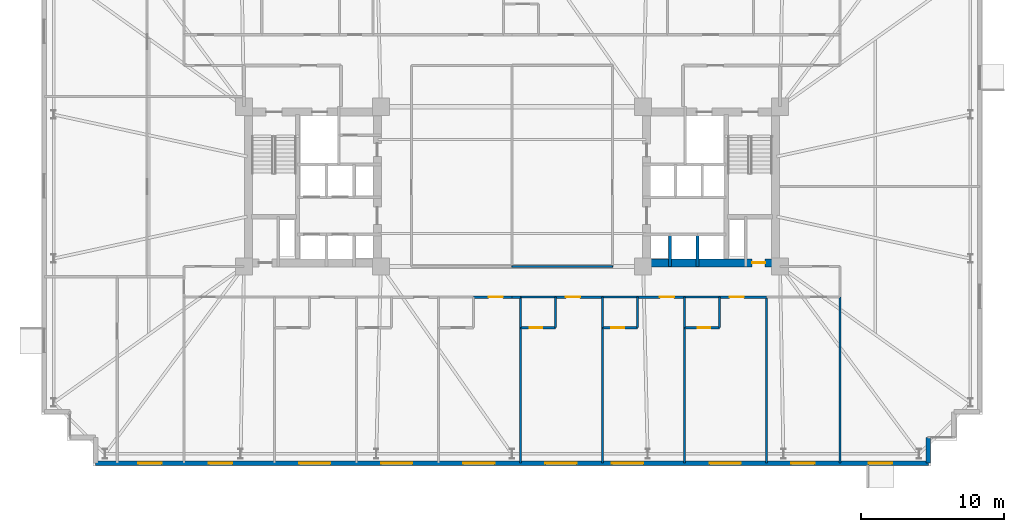
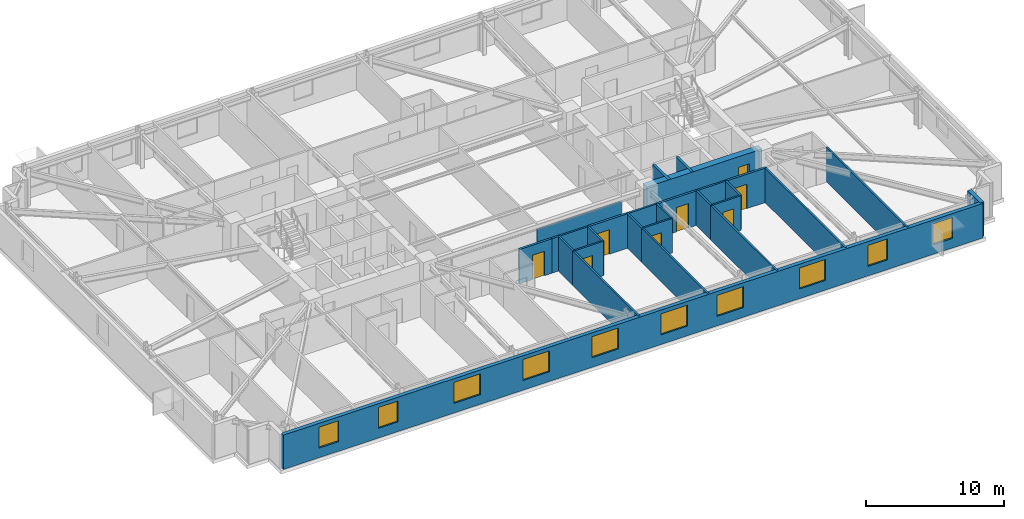
# One storey, part 16 of 20: 28 walls, 10 windows, 8 doors, 18 openings.
"""IFC4 building model written with IfcOpenShell, lengths in metres."""

from ifc_helpers import new_model, si_unit, direction, frame, frame_2d, origin, place, context, subcontext, project, spatial, rectangle, extrude, material, layer, layer_set, type_object, element, fill, save


model = new_model("IFC4")

# Units and contexts
model_context = context("Model", 3, precision=1e-05, world=origin(), true_north=direction((0.0, 1.0)))
body_context = subcontext(model_context, "Body", "Model", "MODEL_VIEW")
ifc_project = project(units=[si_unit("LENGTHUNIT", "METRE"), si_unit("AREAUNIT", "SQUARE_METRE"), si_unit("VOLUMEUNIT", "CUBIC_METRE"), si_unit("PLANEANGLEUNIT", "RADIAN"), si_unit("MASSUNIT", "GRAM", prefix="KILO")], contexts=[model_context])

# Site, building, storey
site_placement = place(None, origin())
site = spatial("IfcSite", under=ifc_project, at=site_placement, CompositionType="ELEMENT")
building_placement = place(site_placement, origin())
building = spatial("IfcBuilding", under=site, at=building_placement, Name="Qobustan Lattice House", CompositionType="ELEMENT")
storey_placement = place(building_placement, frame((0.0, 0.0, 63.85009765625)))
storey = spatial("IfcBuildingStorey", under=building, at=storey_placement, Name="L17", CompositionType="ELEMENT", Elevation=63.85009765625)

# Wall, opening, door
ifc_material_1 = material(Name="Concrete C60/75", Category="concrete")
ifc_layer_1 = layer(ifc_material_1, 0.56005859375)
ifc_layer_set_1 = layer_set([ifc_layer_1], Name="Concrete C60/75")
wall_type_1 = type_object("IfcWallType", Name="WAL-CORE-600", PredefinedType="SHEAR", material=ifc_layer_set_1)
wall_1_placement = place(storey_placement, frame((9.199951171875, -5.35009765625, 0.0), z_axis=(0.0, 0.0, 1.0), x_axis=(1.0, 0.0, 0.0)))
wall_1 = element("IfcWall", 1, at=wall_1_placement, inside=storey, type_object=wall_type_1, Name="L17 split-core shear wall CE-S", PredefinedType="SHEAR", context=body_context, shape_type="SweptSolid", body=[
    extrude(rectangle(XDim=9.60009765625, YDim=0.56005859375, at=frame_2d((4.800048828125, 0.0))), origin(), (0.0, 0.0, 1.0), 3.034912109375),
])
opening_1_placement = place(wall_1_placement, frame((7.64990234375, 0.0, 0.0)))
opening_1 = element("IfcOpeningElement", 2, at=opening_1_placement, cuts=wall_1, Name="Opening RD-01", PredefinedType="OPENING", context=body_context, shape_type="SweptSolid", body=[
    extrude(rectangle(XDim=0.89990234375, YDim=2.10009765625, at=frame_2d((0.449951171875, 1.050048828125))), frame((0.0, 0.2900390625, 0.0), z_axis=(0.0, -1.0, 0.0), x_axis=(1.0, 0.0, 0.0)), (0.0, 0.0, 1.0), 0.580078125),
])
ifc_material_2 = material(Name="Persian walnut timber and steel frame door", Category="steel")
door_type_1 = type_object("IfcDoorType", Name="DOR-RISER-FD-900x2100", OperationType="NOTDEFINED", PredefinedType="DOOR", material=ifc_material_2)
door_1_placement = place(opening_1_placement, origin())
door_1 = element("IfcDoor", 3, at=door_1_placement, inside=storey, type_object=door_type_1, Name="L17 core service riser access door E", OperationType="SINGLE_SWING_LEFT", OverallHeight=2.10009765625, OverallWidth=0.89990234375, PredefinedType="DOOR", context=body_context, shape_type="SweptSolid", body=[
    extrude(rectangle(XDim=0.89990234375, YDim=2.10009765625, at=frame_2d((0.449951171875, 1.050048828125))), frame((0.0, 0.02490234375, 0.0), z_axis=(0.0, -1.0, 0.0), x_axis=(1.0, 0.0, 0.0)), (0.0, 0.0, 1.0), 0.050048828125),
])
fill(opening_1, door_1)

# Wall
ifc_material_3 = material(Name="Precast concrete C40/50", Category="concrete")
ifc_layer_2 = layer(ifc_material_3, 0.320068359375)
ifc_layer_set_2 = layer_set([ifc_layer_2], Name="Precast concrete C40/50")
wall_type_2 = type_object("IfcWallType", Name="WAL-EXT-STONE-320", PredefinedType="SOLIDWALL", material=ifc_layer_set_2)
wall_2_placement = place(storey_placement, frame((29.199951171875, -17.60009765625, 0.0), z_axis=(0.0, 0.0, 1.0), x_axis=(0.0, -1.0, 0.0)))
element("IfcWall", 4, at=wall_2_placement, inside=storey, type_object=wall_type_2, Name="L17 exterior limestone-clad wall 19", PredefinedType="SOLIDWALL", context=body_context, shape_type="SweptSolid", body=[
    extrude(rectangle(XDim=1.7998046875, YDim=0.320068359375, at=frame_2d((0.89990234375, 0.0))), origin(), (0.0, 0.0, 1.0), 3.034912109375),
])

# Wall, openings, windows
wall_3_placement = place(storey_placement, frame((29.199951171875, -19.39990234375, 0.0), z_axis=(0.0, 0.0, 1.0), x_axis=(-1.0, 0.0, 0.0)))
wall_3 = element("IfcWall", 5, at=wall_3_placement, inside=storey, type_object=wall_type_2, Name="L17 exterior limestone-clad wall 20", PredefinedType="SOLIDWALL", context=body_context, shape_type="SweptSolid", body=[
    extrude(rectangle(XDim=58.39990234375, YDim=0.320068359375, at=frame_2d((29.199951171875, 0.0))), origin(), (0.0, 0.0, 1.0), 3.034912109375),
])
opening_2_placement = place(wall_3_placement, frame((2.534912109375, 0.0, 0.85009765625)))
opening_2 = element("IfcOpeningElement", 6, at=opening_2_placement, cuts=wall_3, Name="Opening WN-09", PredefinedType="OPENING", context=body_context, shape_type="SweptSolid", body=[
    extrude(rectangle(XDim=1.64990234375, YDim=1.85009765625, at=frame_2d((0.824951171875, 0.925048828125))), frame((0.0, 0.169921875, 0.0), z_axis=(0.0, -1.0, 0.0), x_axis=(1.0, 0.0, 0.0)), (0.0, 0.0, 1.0), 0.340087890625),
])
opening_3_placement = place(wall_3_placement, frame((7.97509765625, 0.0, 0.85009765625)))
opening_3 = element("IfcOpeningElement", 7, at=opening_3_placement, cuts=wall_3, Name="Opening WN-09", PredefinedType="OPENING", context=body_context, shape_type="SweptSolid", body=[
    extrude(rectangle(XDim=1.64990234375, YDim=1.85009765625, at=frame_2d((0.824951171875, 0.925048828125))), frame((0.0, 0.169921875, 0.0), z_axis=(0.0, -1.0, 0.0), x_axis=(1.0, 0.0, 0.0)), (0.0, 0.0, 1.0), 0.340087890625),
])
opening_4_placement = place(wall_3_placement, frame((13.139892578125, 0.0, 0.85009765625)))
opening_4 = element("IfcOpeningElement", 8, at=opening_4_placement, cuts=wall_3, Name="Opening WN-03", PredefinedType="OPENING", context=body_context, shape_type="SweptSolid", body=[
    extrude(rectangle(XDim=2.199951171875, YDim=1.85009765625, at=frame_2d((1.10009765625, 0.925048828125))), frame((0.0, 0.169921875, 0.0), z_axis=(0.0, -1.0, 0.0), x_axis=(1.0, 0.0, 0.0)), (0.0, 0.0, 1.0), 0.340087890625),
])
opening_5_placement = place(wall_3_placement, frame((19.991943359375, 0.0, 0.85009765625)))
opening_5 = element("IfcOpeningElement", 9, at=opening_5_placement, cuts=wall_3, Name="Opening WN-03", PredefinedType="OPENING", context=body_context, shape_type="SweptSolid", body=[
    extrude(rectangle(XDim=2.199951171875, YDim=1.85009765625, at=frame_2d((1.10009765625, 0.925048828125))), frame((0.0, 0.169921875, 0.0), z_axis=(0.0, -1.0, 0.0), x_axis=(1.0, 0.0, 0.0)), (0.0, 0.0, 1.0), 0.340087890625),
])
opening_6_placement = place(wall_3_placement, frame((24.659912109375, 0.0, 0.85009765625)))
opening_6 = element("IfcOpeningElement", 10, at=opening_6_placement, cuts=wall_3, Name="Opening WN-03", PredefinedType="OPENING", context=body_context, shape_type="SweptSolid", body=[
    extrude(rectangle(XDim=2.199951171875, YDim=1.85009765625, at=frame_2d((1.10009765625, 0.925048828125))), frame((0.0, 0.169921875, 0.0), z_axis=(0.0, -1.0, 0.0), x_axis=(1.0, 0.0, 0.0)), (0.0, 0.0, 1.0), 0.340087890625),
])
opening_7_placement = place(wall_3_placement, frame((30.419921875, 0.0, 0.85009765625)))
opening_7 = element("IfcOpeningElement", 11, at=opening_7_placement, cuts=wall_3, Name="Opening WN-03", PredefinedType="OPENING", context=body_context, shape_type="SweptSolid", body=[
    extrude(rectangle(XDim=2.199951171875, YDim=1.85009765625, at=frame_2d((1.10009765625, 0.925048828125))), frame((0.0, 0.169921875, 0.0), z_axis=(0.0, -1.0, 0.0), x_axis=(1.0, 0.0, 0.0)), (0.0, 0.0, 1.0), 0.340087890625),
])
opening_8_placement = place(wall_3_placement, frame((36.179931640625, 0.0, 0.85009765625)))
opening_8 = element("IfcOpeningElement", 12, at=opening_8_placement, cuts=wall_3, Name="Opening WN-03", PredefinedType="OPENING", context=body_context, shape_type="SweptSolid", body=[
    extrude(rectangle(XDim=2.199951171875, YDim=1.85009765625, at=frame_2d((1.10009765625, 0.925048828125))), frame((0.0, 0.169921875, 0.0), z_axis=(0.0, -1.0, 0.0), x_axis=(1.0, 0.0, 0.0)), (0.0, 0.0, 1.0), 0.340087890625),
])
opening_9_placement = place(wall_3_placement, frame((41.93994140625, 0.0, 0.85009765625)))
opening_9 = element("IfcOpeningElement", 13, at=opening_9_placement, cuts=wall_3, Name="Opening WN-03", PredefinedType="OPENING", context=body_context, shape_type="SweptSolid", body=[
    extrude(rectangle(XDim=2.199951171875, YDim=1.85009765625, at=frame_2d((1.10009765625, 0.925048828125))), frame((0.0, 0.169921875, 0.0), z_axis=(0.0, -1.0, 0.0), x_axis=(1.0, 0.0, 0.0)), (0.0, 0.0, 1.0), 0.340087890625),
])
opening_10_placement = place(wall_3_placement, frame((48.820556640625, 0.0, 0.85009765625)))
opening_10 = element("IfcOpeningElement", 14, at=opening_10_placement, cuts=wall_3, Name="Opening WN-09", PredefinedType="OPENING", context=body_context, shape_type="SweptSolid", body=[
    extrude(rectangle(XDim=1.64990234375, YDim=1.85009765625, at=frame_2d((0.824951171875, 0.925048828125))), frame((0.0, 0.169921875, 0.0), z_axis=(0.0, -1.0, 0.0), x_axis=(1.0, 0.0, 0.0)), (0.0, 0.0, 1.0), 0.340087890625),
])
opening_11_placement = place(wall_3_placement, frame((53.77490234375, 0.0, 0.85009765625)))
opening_11 = element("IfcOpeningElement", 15, at=opening_11_placement, cuts=wall_3, Name="Opening WN-09", PredefinedType="OPENING", context=body_context, shape_type="SweptSolid", body=[
    extrude(rectangle(XDim=1.64990234375, YDim=1.85009765625, at=frame_2d((0.824951171875, 0.925048828125))), frame((0.0, 0.169921875, 0.0), z_axis=(0.0, -1.0, 0.0), x_axis=(1.0, 0.0, 0.0)), (0.0, 0.0, 1.0), 0.340087890625),
])
ifc_material_4 = material(Name="Double-glazed low-E aluminium window", Category="aluminium")
window_type_1 = type_object("IfcWindowType", Name="WIN-STU-1650x1850", PartitioningType="SINGLE_PANEL", PredefinedType="WINDOW", material=ifc_material_4)
window_1_placement = place(opening_2_placement, origin())
window_1 = element("IfcWindow", 16, at=window_1_placement, inside=storey, type_object=window_type_1, Name="L17 Academic seminar room window", OverallHeight=1.85009765625, OverallWidth=1.64990234375, PartitioningType="SINGLE_PANEL", PredefinedType="WINDOW", context=body_context, shape_type="SweptSolid", body=[
    extrude(rectangle(XDim=1.64990234375, YDim=1.85009765625, at=frame_2d((0.824951171875, 0.925048828125))), frame((0.0, 0.030029296875, 0.0), z_axis=(0.0, -1.0, 0.0), x_axis=(1.0, 0.0, 0.0)), (0.0, 0.0, 1.0), 0.06005859375),
])
fill(opening_2, window_1)
window_2_placement = place(opening_3_placement, origin())
window_2 = element("IfcWindow", 17, at=window_2_placement, inside=storey, type_object=window_type_1, Name="L17 Group study room window", OverallHeight=1.85009765625, OverallWidth=1.64990234375, PartitioningType="SINGLE_PANEL", PredefinedType="WINDOW", context=body_context, shape_type="SweptSolid", body=[
    extrude(rectangle(XDim=1.64990234375, YDim=1.85009765625, at=frame_2d((0.824951171875, 0.925048828125))), frame((0.0, 0.030029296875, 0.0), z_axis=(0.0, -1.0, 0.0), x_axis=(1.0, 0.0, 0.0)), (0.0, 0.0, 1.0), 0.06005859375),
])
fill(opening_3, window_2)
window_3_placement = place(opening_10_placement, origin())
window_3 = element("IfcWindow", 18, at=window_3_placement, inside=storey, type_object=window_type_1, Name="L17 Focus study room S1 window", OverallHeight=1.85009765625, OverallWidth=1.64990234375, PartitioningType="SINGLE_PANEL", PredefinedType="WINDOW", context=body_context, shape_type="SweptSolid", body=[
    extrude(rectangle(XDim=1.64990234375, YDim=1.85009765625, at=frame_2d((0.824951171875, 0.925048828125))), frame((0.0, 0.030029296875, 0.0), z_axis=(0.0, -1.0, 0.0), x_axis=(1.0, 0.0, 0.0)), (0.0, 0.0, 1.0), 0.06005859375),
])
fill(opening_10, window_3)
window_4_placement = place(opening_11_placement, origin())
window_4 = element("IfcWindow", 19, at=window_4_placement, inside=storey, type_object=window_type_1, Name="L17 Focus study room W1B window", OverallHeight=1.85009765625, OverallWidth=1.64990234375, PartitioningType="SINGLE_PANEL", PredefinedType="WINDOW", context=body_context, shape_type="SweptSolid", body=[
    extrude(rectangle(XDim=1.64990234375, YDim=1.85009765625, at=frame_2d((0.824951171875, 0.925048828125))), frame((0.0, 0.030029296875, 0.0), z_axis=(0.0, -1.0, 0.0), x_axis=(1.0, 0.0, 0.0)), (0.0, 0.0, 1.0), 0.06005859375),
])
fill(opening_11, window_4)
ifc_material_5 = material(Name="Double-glazed low-E aluminium window", Category="aluminium")
window_type_2 = type_object("IfcWindowType", Name="WIN-WIDE-2200x1850", PartitioningType="SINGLE_PANEL", PredefinedType="WINDOW", material=ifc_material_5)
window_5_placement = place(opening_4_placement, origin())
window_5 = element("IfcWindow", 20, at=window_5_placement, inside=storey, type_object=window_type_2, Name="L17 Kitchenette and studio apartment L17-S7 window", OverallHeight=1.85009765625, OverallWidth=2.199951171875, PartitioningType="SINGLE_PANEL", PredefinedType="WINDOW", context=body_context, shape_type="SweptSolid", body=[
    extrude(rectangle(XDim=2.199951171875, YDim=1.85009765625, at=frame_2d((1.10009765625, 0.925048828125))), frame((0.0, 0.030029296875, 0.0), z_axis=(0.0, -1.0, 0.0), x_axis=(1.0, 0.0, 0.0)), (0.0, 0.0, 1.0), 0.06005859375),
])
fill(opening_4, window_5)
window_6_placement = place(opening_5_placement, origin())
window_6 = element("IfcWindow", 21, at=window_6_placement, inside=storey, type_object=window_type_2, Name="L17 Kitchenette and studio apartment L17-S6 window", OverallHeight=1.85009765625, OverallWidth=2.199951171875, PartitioningType="SINGLE_PANEL", PredefinedType="WINDOW", context=body_context, shape_type="SweptSolid", body=[
    extrude(rectangle(XDim=2.199951171875, YDim=1.85009765625, at=frame_2d((1.10009765625, 0.925048828125))), frame((0.0, 0.030029296875, 0.0), z_axis=(0.0, -1.0, 0.0), x_axis=(1.0, 0.0, 0.0)), (0.0, 0.0, 1.0), 0.06005859375),
])
fill(opening_5, window_6)
window_7_placement = place(opening_6_placement, origin())
window_7 = element("IfcWindow", 22, at=window_7_placement, inside=storey, type_object=window_type_2, Name="L17 Kitchenette and studio apartment L17-S5 window", OverallHeight=1.85009765625, OverallWidth=2.199951171875, PartitioningType="SINGLE_PANEL", PredefinedType="WINDOW", context=body_context, shape_type="SweptSolid", body=[
    extrude(rectangle(XDim=2.199951171875, YDim=1.85009765625, at=frame_2d((1.10009765625, 0.925048828125))), frame((0.0, 0.030029296875, 0.0), z_axis=(0.0, -1.0, 0.0), x_axis=(1.0, 0.0, 0.0)), (0.0, 0.0, 1.0), 0.06005859375),
])
fill(opening_6, window_7)
window_8_placement = place(opening_7_placement, origin())
window_8 = element("IfcWindow", 23, at=window_8_placement, inside=storey, type_object=window_type_2, Name="L17 Kitchenette and studio apartment L17-S4 window", OverallHeight=1.85009765625, OverallWidth=2.199951171875, PartitioningType="SINGLE_PANEL", PredefinedType="WINDOW", context=body_context, shape_type="SweptSolid", body=[
    extrude(rectangle(XDim=2.199951171875, YDim=1.85009765625, at=frame_2d((1.10009765625, 0.925048828125))), frame((0.0, 0.030029296875, 0.0), z_axis=(0.0, -1.0, 0.0), x_axis=(1.0, 0.0, 0.0)), (0.0, 0.0, 1.0), 0.06005859375),
])
fill(opening_7, window_8)
window_9_placement = place(opening_8_placement, origin())
window_9 = element("IfcWindow", 24, at=window_9_placement, inside=storey, type_object=window_type_2, Name="L17 Kitchenette and studio apartment L17-S3 window", OverallHeight=1.85009765625, OverallWidth=2.199951171875, PartitioningType="SINGLE_PANEL", PredefinedType="WINDOW", context=body_context, shape_type="SweptSolid", body=[
    extrude(rectangle(XDim=2.199951171875, YDim=1.85009765625, at=frame_2d((1.10009765625, 0.925048828125))), frame((0.0, 0.030029296875, 0.0), z_axis=(0.0, -1.0, 0.0), x_axis=(1.0, 0.0, 0.0)), (0.0, 0.0, 1.0), 0.06005859375),
])
fill(opening_8, window_9)
window_10_placement = place(opening_9_placement, origin())
window_10 = element("IfcWindow", 25, at=window_10_placement, inside=storey, type_object=window_type_2, Name="L17 Kitchenette and studio apartment L17-S2 window", OverallHeight=1.85009765625, OverallWidth=2.199951171875, PartitioningType="SINGLE_PANEL", PredefinedType="WINDOW", context=body_context, shape_type="SweptSolid", body=[
    extrude(rectangle(XDim=2.199951171875, YDim=1.85009765625, at=frame_2d((1.10009765625, 0.925048828125))), frame((0.0, 0.030029296875, 0.0), z_axis=(0.0, -1.0, 0.0), x_axis=(1.0, 0.0, 0.0)), (0.0, 0.0, 1.0), 0.06005859375),
])
fill(opening_9, window_10)

# Wall, opening, door
ifc_material_6 = material(Name="Gypsum fireboard acoustic partition", Category="gypsum")
ifc_layer_3 = layer(ifc_material_6, 0.179931640625)
ifc_layer_set_3 = layer_set([ifc_layer_3], Name="Gypsum fireboard acoustic partition")
wall_type_3 = type_object("IfcWallType", Name="WAL-FIRE-180", PredefinedType="PARTITIONING", material=ifc_layer_set_3)
wall_4_placement = place(storey_placement, frame((0.0, -7.75, 0.0), z_axis=(0.0, 0.0, 1.0), x_axis=(-1.0, 0.0, 0.0)))
wall_4 = element("IfcWall", 26, at=wall_4_placement, inside=storey, type_object=wall_type_3, Name="L17 interior partition 61", PredefinedType="PARTITIONING", context=body_context, shape_type="SweptSolid", body=[
    extrude(rectangle(XDim=2.699951171875, YDim=0.179931640625, at=frame_2d((1.35009765625, 0.0))), origin(), (0.0, 0.0, 1.0), 3.034912109375),
])
opening_12_placement = place(wall_4_placement, frame((0.6474609375, 0.0, 0.0)))
opening_12 = element("IfcOpeningElement", 27, at=opening_12_placement, cuts=wall_4, Name="Opening FD-02", PredefinedType="OPENING", context=body_context, shape_type="SweptSolid", body=[
    extrude(rectangle(XDim=1.0, YDim=2.14990234375, at=frame_2d((0.5, 1.074951171875))), frame((0.0, 0.099853515625, 0.0), z_axis=(0.0, -1.0, 0.0), x_axis=(1.0, 0.0, 0.0)), (0.0, 0.0, 1.0), 0.199951171875),
])
ifc_material_7 = material(Name="Persian walnut timber and steel frame door", Category="steel")
door_type_2 = type_object("IfcDoorType", Name="DOR-UNIT-FD-1000x2150", OperationType="NOTDEFINED", PredefinedType="DOOR", material=ifc_material_7)
door_2_placement = place(opening_12_placement, origin())
door_2 = element("IfcDoor", 28, at=door_2_placement, inside=storey, type_object=door_type_2, Name="L17 South-west floor corridor to Kitchenette and studio apartment L17-S4 door", OperationType="SINGLE_SWING_LEFT", OverallHeight=2.14990234375, OverallWidth=1.0, PredefinedType="DOOR", context=body_context, shape_type="SweptSolid", body=[
    extrude(rectangle(XDim=1.0, YDim=2.14990234375, at=frame_2d((0.5, 1.074951171875))), frame((0.0, 0.02490234375, 0.0), z_axis=(0.0, -1.0, 0.0), x_axis=(1.0, 0.0, 0.0)), (0.0, 0.0, 1.0), 0.050048828125),
])
fill(opening_12, door_2)

# Wall
wall_5_placement = place(storey_placement, frame((0.60009765625, -7.75, 0.0), z_axis=(0.0, 0.0, 1.0), x_axis=(-1.0, 0.0, 0.0)))
element("IfcWall", 29, at=wall_5_placement, inside=storey, type_object=wall_type_3, Name="L17 interior partition 66", PredefinedType="PARTITIONING", context=body_context, shape_type="SweptSolid", body=[
    extrude(rectangle(XDim=0.60009765625, YDim=0.179931640625, at=frame_2d((0.300048828125, 0.0))), origin(), (0.0, 0.0, 1.0), 3.034912109375),
])

# Wall, opening, door
wall_6_placement = place(storey_placement, frame((6.35009765625, -7.75, 0.0), z_axis=(0.0, 0.0, 1.0), x_axis=(-1.0, 0.0, 0.0)))
wall_6 = element("IfcWall", 30, at=wall_6_placement, inside=storey, type_object=wall_type_3, Name="L17 interior partition 67", PredefinedType="PARTITIONING", context=body_context, shape_type="SweptSolid", body=[
    extrude(rectangle(XDim=3.300048828125, YDim=0.179931640625, at=frame_2d((1.64990234375, 0.0))), origin(), (0.0, 0.0, 1.0), 3.034912109375),
])
opening_13_placement = place(wall_6_placement, frame((1.577392578125, 0.0, 0.0)))
opening_13 = element("IfcOpeningElement", 31, at=opening_13_placement, cuts=wall_6, Name="Opening FD-02", PredefinedType="OPENING", context=body_context, shape_type="SweptSolid", body=[
    extrude(rectangle(XDim=1.0, YDim=2.14990234375, at=frame_2d((0.5, 1.074951171875))), frame((0.0, 0.099853515625, 0.0), z_axis=(0.0, -1.0, 0.0), x_axis=(1.0, 0.0, 0.0)), (0.0, 0.0, 1.0), 0.199951171875),
])
door_3_placement = place(opening_13_placement, origin())
door_3 = element("IfcDoor", 32, at=door_3_placement, inside=storey, type_object=door_type_2, Name="L17 South-east floor corridor to Kitchenette and studio apartment L17-S5 door", OperationType="SINGLE_SWING_LEFT", OverallHeight=2.14990234375, OverallWidth=1.0, PredefinedType="DOOR", context=body_context, shape_type="SweptSolid", body=[
    extrude(rectangle(XDim=1.0, YDim=2.14990234375, at=frame_2d((0.5, 1.074951171875))), frame((0.0, 0.02490234375, 0.0), z_axis=(0.0, -1.0, 0.0), x_axis=(1.0, 0.0, 0.0)), (0.0, 0.0, 1.0), 0.050048828125),
])
fill(opening_13, door_3)

wall_7_placement = place(storey_placement, frame((12.10009765625, -7.75, 0.0), z_axis=(0.0, 0.0, 1.0), x_axis=(-1.0, 0.0, 0.0)))
wall_7 = element("IfcWall", 33, at=wall_7_placement, inside=storey, type_object=wall_type_3, Name="L17 interior partition 69", PredefinedType="PARTITIONING", context=body_context, shape_type="SweptSolid", body=[
    extrude(rectangle(XDim=3.300048828125, YDim=0.179931640625, at=frame_2d((1.64990234375, 0.0))), origin(), (0.0, 0.0, 1.0), 3.034912109375),
])
opening_14_placement = place(wall_7_placement, frame((0.722412109375, 0.0, 0.0)))
opening_14 = element("IfcOpeningElement", 34, at=opening_14_placement, cuts=wall_7, Name="Opening FD-02", PredefinedType="OPENING", context=body_context, shape_type="SweptSolid", body=[
    extrude(rectangle(XDim=1.0, YDim=2.14990234375, at=frame_2d((0.5, 1.074951171875))), frame((0.0, 0.099853515625, 0.0), z_axis=(0.0, -1.0, 0.0), x_axis=(1.0, 0.0, 0.0)), (0.0, 0.0, 1.0), 0.199951171875),
])
door_4_placement = place(opening_14_placement, origin())
door_4 = element("IfcDoor", 35, at=door_4_placement, inside=storey, type_object=door_type_2, Name="L17 South-east floor corridor to Kitchenette and studio apartment L17-S6 door", OperationType="SINGLE_SWING_RIGHT", OverallHeight=2.14990234375, OverallWidth=1.0, PredefinedType="DOOR", context=body_context, shape_type="SweptSolid", body=[
    extrude(rectangle(XDim=1.0, YDim=2.14990234375, at=frame_2d((0.5, 1.074951171875))), frame((0.0, 0.02490234375, 0.0), z_axis=(0.0, -1.0, 0.0), x_axis=(1.0, 0.0, 0.0)), (0.0, 0.0, 1.0), 0.050048828125),
])
fill(opening_14, door_4)

wall_8_placement = place(storey_placement, frame((17.85009765625, -7.75, 0.0), z_axis=(0.0, 0.0, 1.0), x_axis=(-1.0, 0.0, 0.0)))
wall_8 = element("IfcWall", 36, at=wall_8_placement, inside=storey, type_object=wall_type_3, Name="L17 interior partition 71", PredefinedType="PARTITIONING", context=body_context, shape_type="SweptSolid", body=[
    extrude(rectangle(XDim=3.300048828125, YDim=0.179931640625, at=frame_2d((1.64990234375, 0.0))), origin(), (0.0, 0.0, 1.0), 3.034912109375),
])
opening_15_placement = place(wall_8_placement, frame((1.577392578125, 0.0, 0.0)))
opening_15 = element("IfcOpeningElement", 37, at=opening_15_placement, cuts=wall_8, Name="Opening FD-02", PredefinedType="OPENING", context=body_context, shape_type="SweptSolid", body=[
    extrude(rectangle(XDim=1.0, YDim=2.14990234375, at=frame_2d((0.5, 1.074951171875))), frame((0.0, 0.099853515625, 0.0), z_axis=(0.0, -1.0, 0.0), x_axis=(1.0, 0.0, 0.0)), (0.0, 0.0, 1.0), 0.199951171875),
])
door_5_placement = place(opening_15_placement, origin())
door_5 = element("IfcDoor", 38, at=door_5_placement, inside=storey, type_object=door_type_2, Name="L17 South-east floor corridor to Kitchenette and studio apartment L17-S7 door", OperationType="SINGLE_SWING_LEFT", OverallHeight=2.14990234375, OverallWidth=1.0, PredefinedType="DOOR", context=body_context, shape_type="SweptSolid", body=[
    extrude(rectangle(XDim=1.0, YDim=2.14990234375, at=frame_2d((0.5, 1.074951171875))), frame((0.0, 0.02490234375, 0.0), z_axis=(0.0, -1.0, 0.0), x_axis=(1.0, 0.0, 0.0)), (0.0, 0.0, 1.0), 0.050048828125),
])
fill(opening_15, door_5)

# Walls
ifc_material_8 = material(Name="Lightweight acoustic stud partition", Category="gypsum")
ifc_layer_4 = layer(ifc_material_8, 0.125)
ifc_layer_set_4 = layer_set([ifc_layer_4], Name="Lightweight acoustic stud partition")
wall_type_4 = type_object("IfcWallType", Name="WAL-PART-125", PredefinedType="PARTITIONING", material=ifc_layer_set_4)
wall_9_placement = place(storey_placement, frame((0.0, -5.60009765625, 0.0), z_axis=(0.0, 0.0, 1.0), x_axis=(1.0, 0.0, 0.0)))
element("IfcWall", 39, at=wall_9_placement, inside=storey, type_object=wall_type_4, Name="L17 interior partition 74", PredefinedType="PARTITIONING", context=body_context, shape_type="SweptSolid", body=[
    extrude(rectangle(XDim=7.050048828125, YDim=0.125, at=frame_2d((3.52490234375, 0.0))), origin(), (0.0, 0.0, 1.0), 2.52001953125),
])
ifc_material_9 = material(Name="Acoustic twin-stud gypsum partition", Category="gypsum")
ifc_layer_5 = layer(ifc_material_9, 0.14990234375)
ifc_layer_set_5 = layer_set([ifc_layer_5], Name="Acoustic twin-stud gypsum partition")
wall_type_5 = type_object("IfcWallType", Name="WAL-PART-150", PredefinedType="PARTITIONING", material=ifc_layer_set_5)
wall_10_placement = place(storey_placement, frame((23.0, -19.39990234375, 0.0), z_axis=(0.0, 0.0, 1.0), x_axis=(0.0, 1.0, 0.0)))
element("IfcWall", 40, at=wall_10_placement, inside=storey, type_object=wall_type_5, Name="L17 interior partition 88", PredefinedType="PARTITIONING", context=body_context, shape_type="SweptSolid", body=[
    extrude(rectangle(XDim=11.64990234375, YDim=0.14990234375, at=frame_2d((5.824951171875, 0.0))), origin(), (0.0, 0.0, 1.0), 3.034912109375),
])
for number, where, z_axis, x_axis, name in (
    (41, (0.60009765625, -9.89990234375, 0.0), (0.0, 0.0, 1.0), (0.0, -1.0, 0.0), "L17 interior partition 111"),
    (42, (6.35009765625, -9.89990234375, 0.0), (0.0, 0.0, 1.0), (0.0, -1.0, 0.0), "L17 interior partition 115"),
    (43, (12.10009765625, -9.89990234375, 0.0), (0.0, 0.0, 1.0), (0.0, -1.0, 0.0), "L17 interior partition 119"),
):
    element("IfcWall", number, at=place(storey_placement, frame(where, z_axis=z_axis, x_axis=x_axis)), inside=storey, type_object=wall_type_5, Name=name, PredefinedType="PARTITIONING", context=body_context, shape_type="SweptSolid", body=[
        extrude(rectangle(XDim=9.5, YDim=0.14990234375, at=frame_2d((4.75, 0.0))), origin(), (0.0, 0.0, 1.0), 3.034912109375),
    ])
wall_11_placement = place(storey_placement, frame((17.85009765625, -7.75, 0.0), z_axis=(0.0, 0.0, 1.0), x_axis=(0.0, -1.0, 0.0)))
element("IfcWall", 44, at=wall_11_placement, inside=storey, type_object=wall_type_5, Name="L17 interior partition 123", PredefinedType="PARTITIONING", context=body_context, shape_type="SweptSolid", body=[
    extrude(rectangle(XDim=11.64990234375, YDim=0.14990234375, at=frame_2d((5.824951171875, 0.0))), origin(), (0.0, 0.0, 1.0), 3.034912109375),
])
ifc_material_10 = material(Name="Concrete C40/50", Category="concrete")
ifc_layer_6 = layer(ifc_material_10, 0.199951171875)
ifc_layer_set_6 = layer_set([ifc_layer_6], Name="Concrete C40/50")
wall_type_6 = type_object("IfcWallType", Name="WAL-SHAFT-200", PredefinedType="PARTITIONING", material=ifc_layer_set_6)
for number, where, z_axis, x_axis, name in (
    (45, (11.080078125, -5.60009765625, 0.0), (0.0, 0.0, 1.0), (0.0, 1.0, 0.0), "L17 interior partition 34"),
    (46, (13.02001953125, -5.60009765625, 0.0), (0.0, 0.0, 1.0), (0.0, 1.0, 0.0), "L17 interior partition 35"),
):
    element("IfcWall", number, at=place(storey_placement, frame(where, z_axis=z_axis, x_axis=x_axis)), inside=storey, type_object=wall_type_6, Name=name, PredefinedType="PARTITIONING", context=body_context, shape_type="SweptSolid", body=[
        extrude(rectangle(XDim=2.25, YDim=0.199951171875, at=frame_2d((1.125, 0.0))), origin(), (0.0, 0.0, 1.0), 3.034912109375),
    ])
ifc_material_11 = material(Name="Moisture-resistant acoustic plumbing wall", Category="gypsum")
ifc_layer_7 = layer(ifc_material_11, 0.14990234375)
ifc_layer_set_7 = layer_set([ifc_layer_7], Name="Moisture-resistant acoustic plumbing wall")
wall_type_7 = type_object("IfcWallType", Name="WAL-WET-150", PredefinedType="PLUMBINGWALL", material=ifc_layer_set_7)
for number, where, z_axis, x_axis, name in (
    (47, (3.050048828125, -7.75, 0.0), (0.0, 0.0, 1.0), (-1.0, 0.0, 0.0), "L17 interior partition 68"),
    (48, (8.800048828125, -7.75, 0.0), (0.0, 0.0, 1.0), (-1.0, 0.0, 0.0), "L17 interior partition 70"),
    (49, (14.550048828125, -7.75, 0.0), (0.0, 0.0, 1.0), (-1.0, 0.0, 0.0), "L17 interior partition 72"),
):
    element("IfcWall", number, at=place(storey_placement, frame(where, z_axis=z_axis, x_axis=x_axis)), inside=storey, type_object=wall_type_7, Name=name, PredefinedType="PLUMBINGWALL", context=body_context, shape_type="SweptSolid", body=[
        extrude(rectangle(XDim=2.449951171875, YDim=0.14990234375, at=frame_2d((1.22509765625, 0.0))), origin(), (0.0, 0.0, 1.0), 3.034912109375),
    ])
wall_12_placement = place(storey_placement, frame((0.60009765625, -7.75, 0.0), z_axis=(0.0, 0.0, 1.0), x_axis=(0.0, -1.0, 0.0)))
element("IfcWall", 50, at=wall_12_placement, inside=storey, type_object=wall_type_7, Name="L17 interior partition 112", PredefinedType="PLUMBINGWALL", context=body_context, shape_type="SweptSolid", body=[
    extrude(rectangle(XDim=2.14990234375, YDim=0.14990234375, at=frame_2d((1.074951171875, 0.0))), origin(), (0.0, 0.0, 1.0), 3.034912109375),
])

# Wall, opening, door
wall_13_placement = place(storey_placement, frame((0.60009765625, -9.89990234375, 0.0), z_axis=(0.0, 0.0, 1.0), x_axis=(1.0, 0.0, 0.0)))
wall_13 = element("IfcWall", 51, at=wall_13_placement, inside=storey, type_object=wall_type_7, Name="L17 interior partition 113", PredefinedType="PLUMBINGWALL", context=body_context, shape_type="SweptSolid", body=[
    extrude(rectangle(XDim=2.449951171875, YDim=0.14990234375, at=frame_2d((1.22509765625, 0.0))), origin(), (0.0, 0.0, 1.0), 3.034912109375),
])
opening_16_placement = place(wall_13_placement, frame((0.628662109375, 0.0, 0.0)))
opening_16 = element("IfcOpeningElement", 52, at=opening_16_placement, cuts=wall_13, Name="Opening WD-01", PredefinedType="OPENING", context=body_context, shape_type="SweptSolid", body=[
    extrude(rectangle(XDim=0.89990234375, YDim=2.10009765625, at=frame_2d((0.449951171875, 1.050048828125))), frame((0.0, 0.0849609375, 0.0), z_axis=(0.0, -1.0, 0.0), x_axis=(1.0, 0.0, 0.0)), (0.0, 0.0, 1.0), 0.169921875),
])
ifc_material_12 = material(Name="Persian walnut timber and steel frame door", Category="steel")
door_type_3 = type_object("IfcDoorType", Name="DOR-WET-900x2100", OperationType="NOTDEFINED", PredefinedType="DOOR", material=ifc_material_12)
door_6_placement = place(opening_16_placement, origin())
door_6 = element("IfcDoor", 53, at=door_6_placement, inside=storey, type_object=door_type_3, Name="L17 Kitchenette and studio apartment L17-S5 to En-suite bathroom L17-S5 door", OperationType="SINGLE_SWING_RIGHT", OverallHeight=2.10009765625, OverallWidth=0.89990234375, PredefinedType="DOOR", context=body_context, shape_type="SweptSolid", body=[
    extrude(rectangle(XDim=0.89990234375, YDim=2.10009765625, at=frame_2d((0.449951171875, 1.050048828125))), frame((0.0, 0.02490234375, 0.0), z_axis=(0.0, -1.0, 0.0), x_axis=(1.0, 0.0, 0.0)), (0.0, 0.0, 1.0), 0.050048828125),
])
fill(opening_16, door_6)

# Walls
for number, where, z_axis, x_axis, name in (
    (54, (3.050048828125, -9.89990234375, 0.0), (0.0, 0.0, 1.0), (0.0, 1.0, 0.0), "L17 interior partition 114"),
    (55, (6.35009765625, -7.75, 0.0), (0.0, 0.0, 1.0), (0.0, -1.0, 0.0), "L17 interior partition 116"),
):
    element("IfcWall", number, at=place(storey_placement, frame(where, z_axis=z_axis, x_axis=x_axis)), inside=storey, type_object=wall_type_7, Name=name, PredefinedType="PLUMBINGWALL", context=body_context, shape_type="SweptSolid", body=[
        extrude(rectangle(XDim=2.14990234375, YDim=0.14990234375, at=frame_2d((1.074951171875, 0.0))), origin(), (0.0, 0.0, 1.0), 3.034912109375),
    ])

# Wall, opening, door
wall_14_placement = place(storey_placement, frame((6.35009765625, -9.89990234375, 0.0), z_axis=(0.0, 0.0, 1.0), x_axis=(1.0, 0.0, 0.0)))
wall_14 = element("IfcWall", 56, at=wall_14_placement, inside=storey, type_object=wall_type_7, Name="L17 interior partition 117", PredefinedType="PLUMBINGWALL", context=body_context, shape_type="SweptSolid", body=[
    extrude(rectangle(XDim=2.449951171875, YDim=0.14990234375, at=frame_2d((1.22509765625, 0.0))), origin(), (0.0, 0.0, 1.0), 3.034912109375),
])
opening_17_placement = place(wall_14_placement, frame((0.62890625, 0.0, 0.0)))
opening_17 = element("IfcOpeningElement", 57, at=opening_17_placement, cuts=wall_14, Name="Opening WD-01", PredefinedType="OPENING", context=body_context, shape_type="SweptSolid", body=[
    extrude(rectangle(XDim=0.89990234375, YDim=2.10009765625, at=frame_2d((0.449951171875, 1.050048828125))), frame((0.0, 0.0849609375, 0.0), z_axis=(0.0, -1.0, 0.0), x_axis=(1.0, 0.0, 0.0)), (0.0, 0.0, 1.0), 0.169921875),
])
door_7_placement = place(opening_17_placement, origin())
door_7 = element("IfcDoor", 58, at=door_7_placement, inside=storey, type_object=door_type_3, Name="L17 Kitchenette and studio apartment L17-S6 to En-suite bathroom L17-S6 door", OperationType="SINGLE_SWING_LEFT", OverallHeight=2.10009765625, OverallWidth=0.89990234375, PredefinedType="DOOR", context=body_context, shape_type="SweptSolid", body=[
    extrude(rectangle(XDim=0.89990234375, YDim=2.10009765625, at=frame_2d((0.449951171875, 1.050048828125))), frame((0.0, 0.02490234375, 0.0), z_axis=(0.0, -1.0, 0.0), x_axis=(1.0, 0.0, 0.0)), (0.0, 0.0, 1.0), 0.050048828125),
])
fill(opening_17, door_7)

# Walls
for number, where, z_axis, x_axis, name in (
    (59, (8.800048828125, -9.89990234375, 0.0), (0.0, 0.0, 1.0), (0.0, 1.0, 0.0), "L17 interior partition 118"),
    (60, (12.10009765625, -7.75, 0.0), (0.0, 0.0, 1.0), (0.0, -1.0, 0.0), "L17 interior partition 120"),
):
    element("IfcWall", number, at=place(storey_placement, frame(where, z_axis=z_axis, x_axis=x_axis)), inside=storey, type_object=wall_type_7, Name=name, PredefinedType="PLUMBINGWALL", context=body_context, shape_type="SweptSolid", body=[
        extrude(rectangle(XDim=2.14990234375, YDim=0.14990234375, at=frame_2d((1.074951171875, 0.0))), origin(), (0.0, 0.0, 1.0), 3.034912109375),
    ])

# Wall, opening, door
wall_15_placement = place(storey_placement, frame((12.10009765625, -9.89990234375, 0.0), z_axis=(0.0, 0.0, 1.0), x_axis=(1.0, 0.0, 0.0)))
wall_15 = element("IfcWall", 61, at=wall_15_placement, inside=storey, type_object=wall_type_7, Name="L17 interior partition 121", PredefinedType="PLUMBINGWALL", context=body_context, shape_type="SweptSolid", body=[
    extrude(rectangle(XDim=2.449951171875, YDim=0.14990234375, at=frame_2d((1.22509765625, 0.0))), origin(), (0.0, 0.0, 1.0), 3.034912109375),
])
opening_18_placement = place(wall_15_placement, frame((0.92138671875, 0.0, 0.0)))
opening_18 = element("IfcOpeningElement", 62, at=opening_18_placement, cuts=wall_15, Name="Opening WD-01", PredefinedType="OPENING", context=body_context, shape_type="SweptSolid", body=[
    extrude(rectangle(XDim=0.89990234375, YDim=2.10009765625, at=frame_2d((0.449951171875, 1.050048828125))), frame((0.0, 0.0849609375, 0.0), z_axis=(0.0, -1.0, 0.0), x_axis=(1.0, 0.0, 0.0)), (0.0, 0.0, 1.0), 0.169921875),
])
door_8_placement = place(opening_18_placement, origin())
door_8 = element("IfcDoor", 63, at=door_8_placement, inside=storey, type_object=door_type_3, Name="L17 Kitchenette and studio apartment L17-S7 to En-suite bathroom L17-S7 door", OperationType="SINGLE_SWING_RIGHT", OverallHeight=2.10009765625, OverallWidth=0.89990234375, PredefinedType="DOOR", context=body_context, shape_type="SweptSolid", body=[
    extrude(rectangle(XDim=0.89990234375, YDim=2.10009765625, at=frame_2d((0.449951171875, 1.050048828125))), frame((0.0, 0.02490234375, 0.0), z_axis=(0.0, -1.0, 0.0), x_axis=(1.0, 0.0, 0.0)), (0.0, 0.0, 1.0), 0.050048828125),
])
fill(opening_18, door_8)

# Wall
wall_16_placement = place(storey_placement, frame((14.550048828125, -9.89990234375, 0.0), z_axis=(0.0, 0.0, 1.0), x_axis=(0.0, 1.0, 0.0)))
element("IfcWall", 64, at=wall_16_placement, inside=storey, type_object=wall_type_7, Name="L17 interior partition 122", PredefinedType="PLUMBINGWALL", context=body_context, shape_type="SweptSolid", body=[
    extrude(rectangle(XDim=2.14990234375, YDim=0.14990234375, at=frame_2d((1.074951171875, 0.0))), origin(), (0.0, 0.0, 1.0), 3.034912109375),
])

save(model, "model.ifc")
